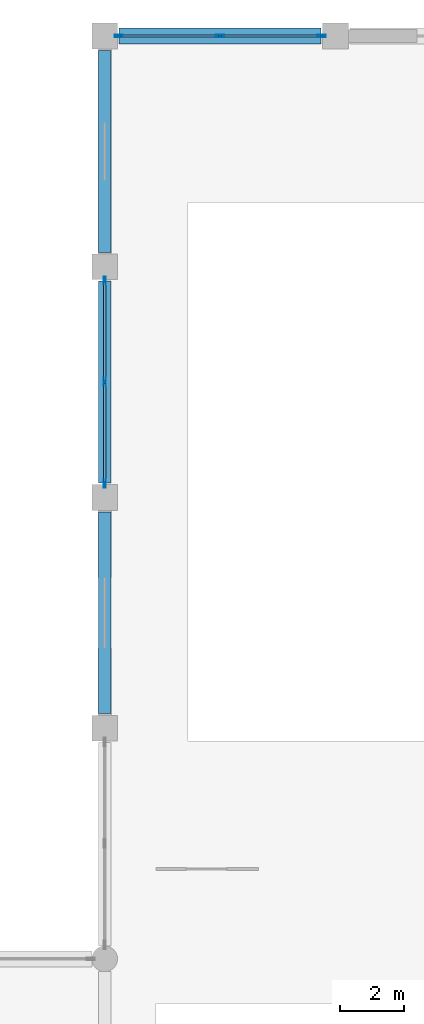
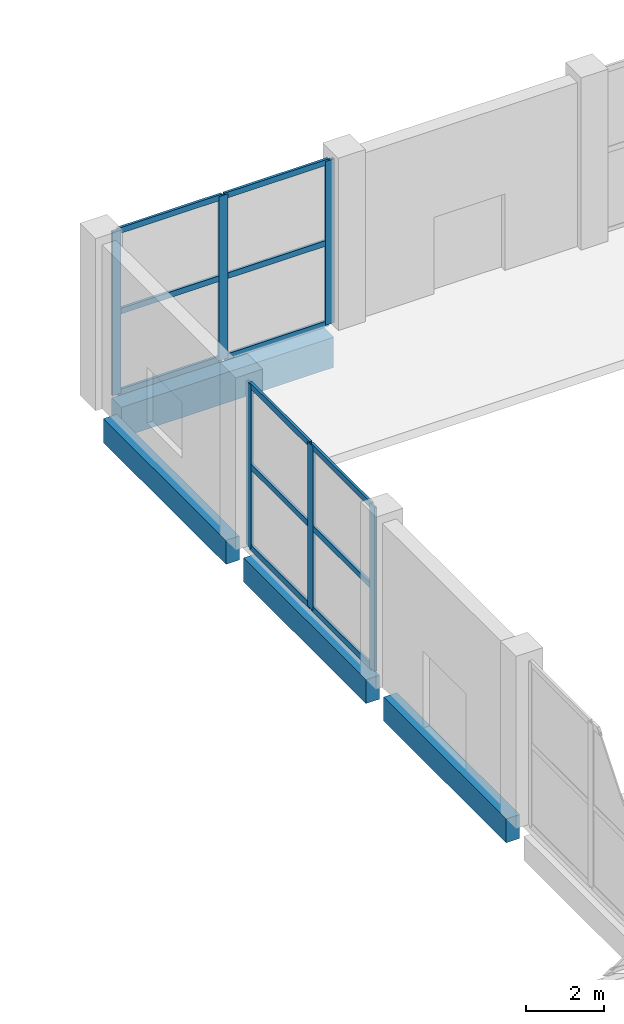
# One storey, part 31 of 70: 18 members, 4 beams, 2 elements without a shape of their own.
"""IFC4 building model written with IfcOpenShell, lengths in metres."""

from ifc_helpers import new_model, si_unit, direction, frame, origin, origin_2d, place, context, subcontext, project, spatial, rectangle, hollow_rectangle, extrude, material, material_profile, profile_set, type_object, element, aggregate, save


model = new_model("IFC4")

# Units and contexts
model_context = context("Model", 3, precision=1e-05, world=origin(), true_north=direction((0.0, 1.0)))
body_context = subcontext(model_context, "Body", "Model", "MODEL_VIEW")
ifc_project = project(units=[si_unit("LENGTHUNIT", "METRE"), si_unit("AREAUNIT", "SQUARE_METRE"), si_unit("VOLUMEUNIT", "CUBIC_METRE"), si_unit("PLANEANGLEUNIT", "RADIAN"), si_unit("MASSUNIT", "GRAM", prefix="KILO")], contexts=[model_context])

# Site, building, storey
site_placement = place(None, origin())
site = spatial("IfcSite", under=ifc_project, at=site_placement, CompositionType="ELEMENT")
building_placement = place(site_placement, origin())
building = spatial("IfcBuilding", under=site, at=building_placement, Name="Vesperath Aquatics Centre", CompositionType="ELEMENT")
storey_placement = place(building_placement, origin())
storey = spatial("IfcBuildingStorey", under=building, at=storey_placement, Name="L00", CompositionType="ELEMENT", Elevation=0.0)

# Beams
ifc_material_1 = material(Name="Concrete C40", Category="concrete")
ifc_material_profile_1 = material_profile(ifc_material_1, rectangle(XDim=0.5, YDim=0.949951171875, at=origin_2d()), Name="RC 500x950")
ifc_profile_set_1 = profile_set([ifc_material_profile_1], Name="Concrete C40")
beam_type_1 = type_object("IfcBeamType", Name="BM-G02", PredefinedType="BEAM", material=ifc_profile_set_1)
beam_placement = place(storey_placement, frame((115.64990234375, 115.199951171875, -0.7548828125), z_axis=(1.0, 0.0, 0.0), x_axis=(0.0, 1.0, 0.0)))
element("IfcBeam", 1, at=beam_placement, inside=storey, type_object=beam_type_1, Name="Floor Girder B02 L00 S 17-18", PredefinedType="BEAM", context=body_context, shape_type="SweptSolid", body=[
    extrude(rectangle(XDim=0.5, YDim=0.949951171875, at=origin_2d()), origin(), (0.0, 0.0, 1.0), 6.300048828125),
])
ifc_material_2 = material(Name="Concrete C35", Category="concrete")
ifc_material_profile_2 = material_profile(ifc_material_2, rectangle(XDim=0.39990234375, YDim=0.75, at=origin_2d()), Name="RC 400x750")
ifc_profile_set_2 = profile_set([ifc_material_profile_2], Name="Concrete C35")
beam_type_2 = type_object("IfcBeamType", Name="BM-G04", PredefinedType="BEAM", material=ifc_profile_set_2)
for number, where, z_axis, x_axis, name in (
    (2, (115.199951171875, 94.050048828125, -0.655029296875), (0.0, 1.0, 0.0), (-1.0, 0.0, 0.0), "Floor Girder B04 L00 17 P-Q"),
    (3, (115.199951171875, 101.25, -0.655029296875), (0.0, 1.0, 0.0), (-1.0, 0.0, 0.0), "Floor Girder B04 L00 17 Q-R"),
    (4, (115.199951171875, 108.449951171875, -0.655029296875), (0.0, 1.0, 0.0), (-1.0, 0.0, 0.0), "Floor Girder B04 L00 17 R-S"),
):
    element("IfcBeam", number, at=place(storey_placement, frame(where, z_axis=z_axis, x_axis=x_axis)), inside=storey, type_object=beam_type_2, Name=name, PredefinedType="BEAM", context=body_context, shape_type="SweptSolid", body=[
        extrude(rectangle(XDim=0.39990234375, YDim=0.75, at=origin_2d()), origin(), (0.0, 0.0, 1.0), 6.300048828125),
    ])

# Curtain wall, members
ifc_material_3 = material(Name="Thermally broken anodised bronze aluminium curtain wall", Category="aluminium")
curtain_wall_type = type_object("IfcCurtainWallType", Name="CW-01", PredefinedType="NOTDEFINED", material=ifc_material_3)
curtain_wall_1_placement = place(storey_placement, origin())
curtain_wall_1 = element("IfcCurtainWall", 5, at=curtain_wall_1_placement, inside=storey, type_object=curtain_wall_type, Name="Facade Curtain Wall CW01 L00_N_16_16", PredefinedType="NOTDEFINED")
ifc_material_4 = material(Name="Thermally broken anodised aluminium", Category="aluminium")
ifc_material_profile_3 = material_profile(ifc_material_4, hollow_rectangle(XDim=0.074951171875, YDim=0.260009765625, WallThickness=0.006103515625, at=origin_2d()), Name="CWM 75x260x6")
ifc_profile_set_3 = profile_set([ifc_material_profile_3], Name="Thermally broken anodised aluminium")
member_type_1 = type_object("IfcMemberType", Name="MB-CWM1", PredefinedType="MULLION", material=ifc_profile_set_3)
member_1_placement = place(storey_placement, frame((115.637451171875, 115.199951171875, 0.0), z_axis=(0.0, 0.0, 1.0), x_axis=(0.0, 1.0, 0.0)))
member_1 = element("IfcMember", 6, at=member_1_placement, type_object=member_type_1, Name="CW01 mullion 1", PredefinedType="MULLION", context=body_context, shape_type="SweptSolid", body=[
    extrude(hollow_rectangle(XDim=0.074951171875, YDim=0.260009765625, WallThickness=0.006103515625, at=origin_2d()), origin(), (0.0, 0.0, 1.0), 5.139892578125),
])
member_2_placement = place(storey_placement, frame((118.800048828125, 115.199951171875, 0.0), z_axis=(0.0, 0.0, 1.0), x_axis=(0.0, 1.0, 0.0)))
member_2 = element("IfcMember", 7, at=member_2_placement, type_object=member_type_1, Name="CW01 mullion 2", PredefinedType="MULLION", context=body_context, shape_type="SweptSolid", body=[
    extrude(hollow_rectangle(XDim=0.074951171875, YDim=0.260009765625, WallThickness=0.006103515625, at=origin_2d()), origin(), (0.0, 0.0, 1.0), 5.139892578125),
])
member_3_placement = place(storey_placement, frame((121.96240234375, 115.199951171875, 0.0), z_axis=(0.0, 0.0, 1.0), x_axis=(0.0, 1.0, 0.0)))
member_3 = element("IfcMember", 8, at=member_3_placement, type_object=member_type_1, Name="CW01 mullion 3", PredefinedType="MULLION", context=body_context, shape_type="SweptSolid", body=[
    extrude(hollow_rectangle(XDim=0.074951171875, YDim=0.260009765625, WallThickness=0.006103515625, at=origin_2d()), origin(), (0.0, 0.0, 1.0), 5.139892578125),
])

curtain_wall_2_placement = place(storey_placement, origin())
curtain_wall_2 = element("IfcCurtainWall", 9, at=curtain_wall_2_placement, inside=storey, type_object=curtain_wall_type, Name="Facade Curtain Wall CW01 L00_W_16_14", PredefinedType="NOTDEFINED")
member_4_placement = place(storey_placement, frame((115.199951171875, 101.237548828125, 0.0), z_axis=(0.0, 0.0, 1.0), x_axis=(-1.0, 0.0, 0.0)))
member_4 = element("IfcMember", 10, at=member_4_placement, type_object=member_type_1, Name="CW01 mullion 1", PredefinedType="MULLION", context=body_context, shape_type="SweptSolid", body=[
    extrude(hollow_rectangle(XDim=0.074951171875, YDim=0.260009765625, WallThickness=0.006103515625, at=origin_2d()), origin(), (0.0, 0.0, 1.0), 5.139892578125),
])
member_5_placement = place(storey_placement, frame((115.199951171875, 104.39990234375, 0.0), z_axis=(0.0, 0.0, 1.0), x_axis=(-1.0, 0.0, 0.0)))
member_5 = element("IfcMember", 11, at=member_5_placement, type_object=member_type_1, Name="CW01 mullion 2", PredefinedType="MULLION", context=body_context, shape_type="SweptSolid", body=[
    extrude(hollow_rectangle(XDim=0.074951171875, YDim=0.260009765625, WallThickness=0.006103515625, at=origin_2d()), origin(), (0.0, 0.0, 1.0), 5.139892578125),
])
member_6_placement = place(storey_placement, frame((115.199951171875, 107.5625, 0.0), z_axis=(0.0, 0.0, 1.0), x_axis=(-1.0, 0.0, 0.0)))
member_6 = element("IfcMember", 12, at=member_6_placement, type_object=member_type_1, Name="CW01 mullion 3", PredefinedType="MULLION", context=body_context, shape_type="SweptSolid", body=[
    extrude(hollow_rectangle(XDim=0.074951171875, YDim=0.260009765625, WallThickness=0.006103515625, at=origin_2d()), origin(), (0.0, 0.0, 1.0), 5.139892578125),
])

# Member
ifc_material_profile_4 = material_profile(ifc_material_4, hollow_rectangle(XDim=0.074951171875, YDim=0.179931640625, WallThickness=0.0048828125, at=origin_2d()), Name="CWT 75x180x5")
ifc_profile_set_4 = profile_set([ifc_material_profile_4], Name="Thermally broken anodised aluminium")
member_type_2 = type_object("IfcMemberType", Name="MB-CWT1", PredefinedType="USERDEFINED", material=ifc_profile_set_4)
member_7_placement = place(storey_placement, frame((115.675048828125, 115.199951171875, 0.03759765625), z_axis=(1.0, 0.0, 0.0), x_axis=(0.0, 1.0, 0.0)))
member_7 = element("IfcMember", 13, at=member_7_placement, type_object=member_type_2, Name="CW01 transom 1.1", ObjectType="TRANSOM", PredefinedType="USERDEFINED", context=body_context, shape_type="SweptSolid", body=[
    extrude(hollow_rectangle(XDim=0.074951171875, YDim=0.179931640625, WallThickness=0.0048828125, at=origin_2d()), origin(), (0.0, 0.0, 1.0), 3.08740234375),
])

member_8_placement = place(storey_placement, frame((115.675048828125, 115.199951171875, 2.570068359375), z_axis=(1.0, 0.0, 0.0), x_axis=(0.0, 1.0, 0.0)))
member_8 = element("IfcMember", 14, at=member_8_placement, type_object=member_type_2, Name="CW01 transom 1.2", ObjectType="TRANSOM", PredefinedType="USERDEFINED", context=body_context, shape_type="SweptSolid", body=[
    extrude(hollow_rectangle(XDim=0.074951171875, YDim=0.179931640625, WallThickness=0.0048828125, at=origin_2d()), origin(), (0.0, 0.0, 1.0), 3.08740234375),
])

member_9_placement = place(storey_placement, frame((115.675048828125, 115.199951171875, 5.1025390625), z_axis=(1.0, 0.0, 0.0), x_axis=(0.0, 1.0, 0.0)))
member_9 = element("IfcMember", 15, at=member_9_placement, type_object=member_type_2, Name="CW01 transom 1.3", ObjectType="TRANSOM", PredefinedType="USERDEFINED", context=body_context, shape_type="SweptSolid", body=[
    extrude(hollow_rectangle(XDim=0.074951171875, YDim=0.179931640625, WallThickness=0.0048828125, at=origin_2d()), origin(), (0.0, 0.0, 1.0), 3.08740234375),
])

member_10_placement = place(storey_placement, frame((118.83740234375, 115.199951171875, 0.03759765625), z_axis=(1.0, 0.0, 0.0), x_axis=(0.0, 1.0, 0.0)))
member_10 = element("IfcMember", 16, at=member_10_placement, type_object=member_type_2, Name="CW01 transom 2.1", ObjectType="TRANSOM", PredefinedType="USERDEFINED", context=body_context, shape_type="SweptSolid", body=[
    extrude(hollow_rectangle(XDim=0.074951171875, YDim=0.179931640625, WallThickness=0.0048828125, at=origin_2d()), origin(), (0.0, 0.0, 1.0), 3.087646484375),
])

member_11_placement = place(storey_placement, frame((118.83740234375, 115.199951171875, 2.570068359375), z_axis=(1.0, 0.0, 0.0), x_axis=(0.0, 1.0, 0.0)))
member_11 = element("IfcMember", 17, at=member_11_placement, type_object=member_type_2, Name="CW01 transom 2.2", ObjectType="TRANSOM", PredefinedType="USERDEFINED", context=body_context, shape_type="SweptSolid", body=[
    extrude(hollow_rectangle(XDim=0.074951171875, YDim=0.179931640625, WallThickness=0.0048828125, at=origin_2d()), origin(), (0.0, 0.0, 1.0), 3.087646484375),
])

member_12_placement = place(storey_placement, frame((118.83740234375, 115.199951171875, 5.1025390625), z_axis=(1.0, 0.0, 0.0), x_axis=(0.0, 1.0, 0.0)))
member_12 = element("IfcMember", 18, at=member_12_placement, type_object=member_type_2, Name="CW01 transom 2.3", ObjectType="TRANSOM", PredefinedType="USERDEFINED", context=body_context, shape_type="SweptSolid", body=[
    extrude(hollow_rectangle(XDim=0.074951171875, YDim=0.179931640625, WallThickness=0.0048828125, at=origin_2d()), origin(), (0.0, 0.0, 1.0), 3.087646484375),
])

aggregate(curtain_wall_1, [member_1, member_2, member_3, member_7, member_8, member_9, member_10, member_11, member_12])

member_13_placement = place(storey_placement, frame((115.199951171875, 101.27490234375, 0.03759765625), z_axis=(0.0, 1.0, 0.0), x_axis=(-1.0, 0.0, 0.0)))
member_13 = element("IfcMember", 19, at=member_13_placement, type_object=member_type_2, Name="CW01 transom 1.1", ObjectType="TRANSOM", PredefinedType="USERDEFINED", context=body_context, shape_type="SweptSolid", body=[
    extrude(hollow_rectangle(XDim=0.074951171875, YDim=0.179931640625, WallThickness=0.0048828125, at=origin_2d()), origin(), (0.0, 0.0, 1.0), 3.087646484375),
])

member_14_placement = place(storey_placement, frame((115.199951171875, 101.27490234375, 2.570068359375), z_axis=(0.0, 1.0, 0.0), x_axis=(-1.0, 0.0, 0.0)))
member_14 = element("IfcMember", 20, at=member_14_placement, type_object=member_type_2, Name="CW01 transom 1.2", ObjectType="TRANSOM", PredefinedType="USERDEFINED", context=body_context, shape_type="SweptSolid", body=[
    extrude(hollow_rectangle(XDim=0.074951171875, YDim=0.179931640625, WallThickness=0.0048828125, at=origin_2d()), origin(), (0.0, 0.0, 1.0), 3.087646484375),
])

member_15_placement = place(storey_placement, frame((115.199951171875, 101.27490234375, 5.1025390625), z_axis=(0.0, 1.0, 0.0), x_axis=(-1.0, 0.0, 0.0)))
member_15 = element("IfcMember", 21, at=member_15_placement, type_object=member_type_2, Name="CW01 transom 1.3", ObjectType="TRANSOM", PredefinedType="USERDEFINED", context=body_context, shape_type="SweptSolid", body=[
    extrude(hollow_rectangle(XDim=0.074951171875, YDim=0.179931640625, WallThickness=0.0048828125, at=origin_2d()), origin(), (0.0, 0.0, 1.0), 3.087646484375),
])

member_16_placement = place(storey_placement, frame((115.199951171875, 104.4375, 0.03759765625), z_axis=(0.0, 1.0, 0.0), x_axis=(-1.0, 0.0, 0.0)))
member_16 = element("IfcMember", 22, at=member_16_placement, type_object=member_type_2, Name="CW01 transom 2.1", ObjectType="TRANSOM", PredefinedType="USERDEFINED", context=body_context, shape_type="SweptSolid", body=[
    extrude(hollow_rectangle(XDim=0.074951171875, YDim=0.179931640625, WallThickness=0.0048828125, at=origin_2d()), origin(), (0.0, 0.0, 1.0), 3.08740234375),
])

member_17_placement = place(storey_placement, frame((115.199951171875, 104.4375, 2.570068359375), z_axis=(0.0, 1.0, 0.0), x_axis=(-1.0, 0.0, 0.0)))
member_17 = element("IfcMember", 23, at=member_17_placement, type_object=member_type_2, Name="CW01 transom 2.2", ObjectType="TRANSOM", PredefinedType="USERDEFINED", context=body_context, shape_type="SweptSolid", body=[
    extrude(hollow_rectangle(XDim=0.074951171875, YDim=0.179931640625, WallThickness=0.0048828125, at=origin_2d()), origin(), (0.0, 0.0, 1.0), 3.08740234375),
])

member_18_placement = place(storey_placement, frame((115.199951171875, 104.4375, 5.1025390625), z_axis=(0.0, 1.0, 0.0), x_axis=(-1.0, 0.0, 0.0)))
member_18 = element("IfcMember", 24, at=member_18_placement, type_object=member_type_2, Name="CW01 transom 2.3", ObjectType="TRANSOM", PredefinedType="USERDEFINED", context=body_context, shape_type="SweptSolid", body=[
    extrude(hollow_rectangle(XDim=0.074951171875, YDim=0.179931640625, WallThickness=0.0048828125, at=origin_2d()), origin(), (0.0, 0.0, 1.0), 3.08740234375),
])

aggregate(curtain_wall_2, [member_4, member_5, member_6, member_13, member_14, member_15, member_16, member_17, member_18])

save(model, "model.ifc")
